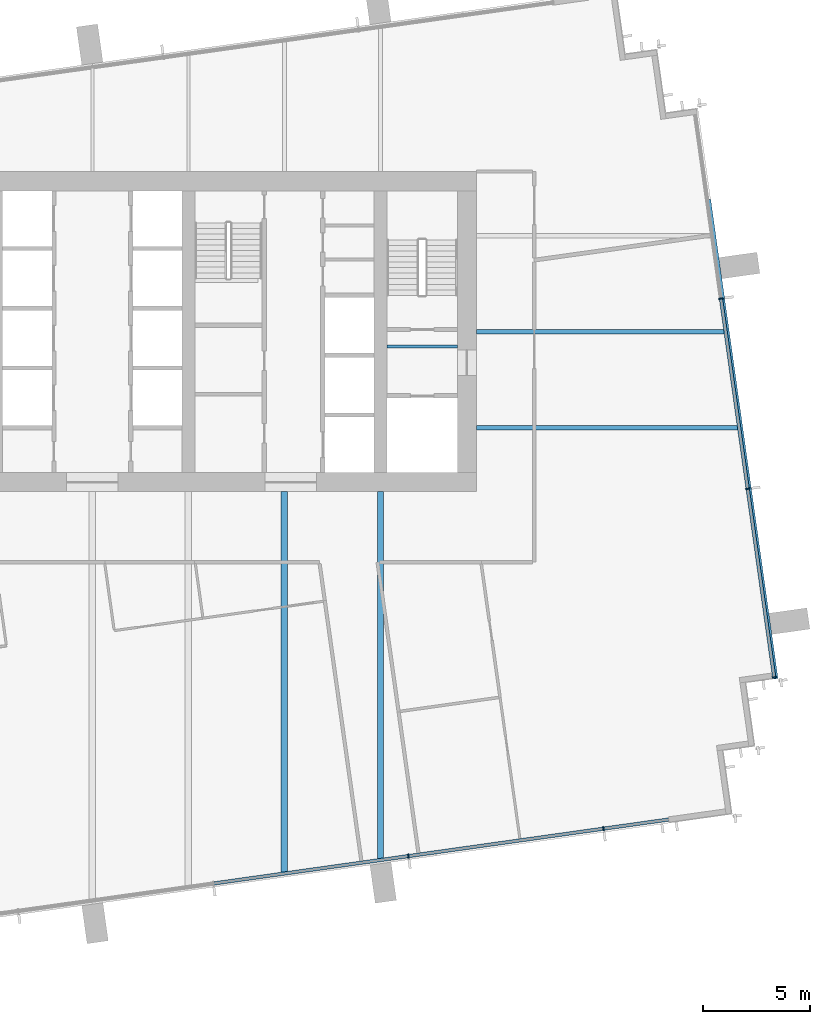
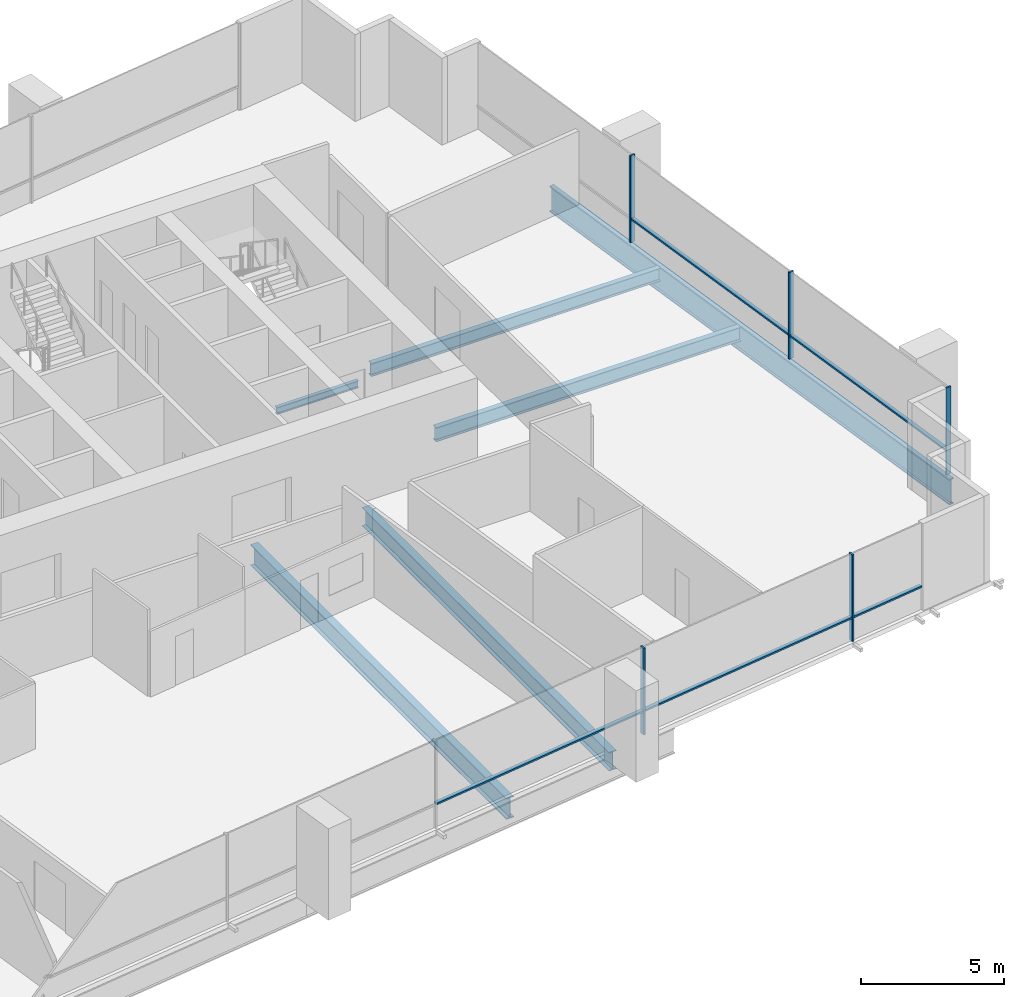
# One storey, part 5 of 13: 10 members, 6 beams, 2 elements without a shape of their own.
"""IFC4 building model written with IfcOpenShell, lengths in metres."""

from ifc_helpers import new_model, si_unit, direction, frame, origin, origin_2d, place, context, subcontext, project, spatial, rectangle, i_section, extrude, material, layer, layer_set, material_profile, profile_set, type_object, element, aggregate, save


model = new_model("IFC4")

# Units and contexts
model_context = context("Model", 3, precision=1e-05, world=origin(), true_north=direction((0.0, 1.0)))
body_context = subcontext(model_context, "Body", "Model", "MODEL_VIEW")
ifc_project = project(units=[si_unit("LENGTHUNIT", "METRE"), si_unit("AREAUNIT", "SQUARE_METRE"), si_unit("VOLUMEUNIT", "CUBIC_METRE"), si_unit("PLANEANGLEUNIT", "RADIAN"), si_unit("MASSUNIT", "GRAM", prefix="KILO")], contexts=[model_context])

# Site, building, storey
site_placement = place(None, origin())
site = spatial("IfcSite", under=ifc_project, at=site_placement, CompositionType="ELEMENT")
building_placement = place(site_placement, origin())
building = spatial("IfcBuilding", under=site, at=building_placement, Name="Rattan Terrace Tower", CompositionType="ELEMENT")
storey_placement = place(building_placement, frame((0.0, 0.0, 217.39990234375)))
storey = spatial("IfcBuildingStorey", under=building, at=storey_placement, Name="L49", CompositionType="ELEMENT", Elevation=217.39990234375)

# Beams
ifc_material_1 = material(Name="Steel S460", Category="steel")
ifc_material_profile_1 = material_profile(ifc_material_1, i_section(OverallWidth=0.179931640625, OverallDepth=1.10009765625, WebThickness=0.01611328125, FlangeThickness=0.050048828125, at=origin_2d()), Name="PG 1100x180-16-50")
ifc_profile_set_1 = profile_set([ifc_material_profile_1], Name="Steel S460")
beam_type_1 = type_object("IfcBeamType", Name="Frame edge girder PG 1100x180-16-50", PredefinedType="SPANDREL", material=ifc_profile_set_1)
beam_1_placement = place(storey_placement, frame((28.883056640625, 6.18505859375, -0.75), z_axis=(0.139138162292, -0.990272978423, 0.0), x_axis=(0.990272978423, 0.139138162292, 0.0)))
element("IfcBeam", 1, at=beam_1_placement, inside=storey, type_object=beam_type_1, Name="gdr-L49-004", PredefinedType="SPANDREL", context=body_context, shape_type="SweptSolid", body=[
    extrude(i_section(OverallWidth=0.179931640625, OverallDepth=1.10009765625, WebThickness=0.01611328125, FlangeThickness=0.050048828125, at=origin_2d()), origin(), (0.0, 0.0, 1.0), 22.66845703125),
])
ifc_material_2 = material(Name="Steel S355", Category="steel")
ifc_material_profile_2 = material_profile(ifc_material_2, i_section(OverallWidth=0.300048828125, OverallDepth=0.800048828125, WebThickness=0.017578125, FlangeThickness=0.032958984375, FilletRadius=0.030029296875, at=origin_2d()), Name="HE 800 B")
ifc_profile_set_2 = profile_set([ifc_material_profile_2], Name="Steel S355")
beam_type_2 = type_object("IfcBeamType", Name="Frame floor beam HE 800 B", PredefinedType="JOIST", material=ifc_profile_set_2)
beam_2_placement = place(storey_placement, frame((13.5, -24.72509765625, -0.599853515625), z_axis=(0.0, 1.0, 0.0), x_axis=(-1.0, 0.0, 0.0)))
element("IfcBeam", 2, at=beam_2_placement, inside=storey, type_object=beam_type_2, Name="bm-L49-008", PredefinedType="JOIST", context=body_context, shape_type="SweptSolid", body=[
    extrude(i_section(OverallWidth=0.300048828125, OverallDepth=0.800048828125, WebThickness=0.017578125, FlangeThickness=0.032958984375, FilletRadius=0.030029296875, at=origin_2d()), origin(), (0.0, 0.0, 1.0), 17.22509765625),
])
ifc_material_3 = material(Name="Steel S355", Category="steel")
ifc_material_profile_3 = material_profile(ifc_material_3, i_section(OverallWidth=0.300048828125, OverallDepth=0.89990234375, WebThickness=0.0185546875, FlangeThickness=0.034912109375, FilletRadius=0.030029296875, at=origin_2d()), Name="HE 900 B")
ifc_profile_set_3 = profile_set([ifc_material_profile_3], Name="Steel S355")
beam_type_3 = type_object("IfcBeamType", Name="Frame floor beam HE 900 B", PredefinedType="JOIST", material=ifc_profile_set_3)
beam_3_placement = place(storey_placement, frame((9.0, -25.35693359375, -0.64990234375), z_axis=(0.0, 1.0, 0.0), x_axis=(-1.0, 0.0, 0.0)))
element("IfcBeam", 3, at=beam_3_placement, inside=storey, type_object=beam_type_3, Name="bm-L49-007", PredefinedType="JOIST", context=body_context, shape_type="SweptSolid", body=[
    extrude(i_section(OverallWidth=0.300048828125, OverallDepth=0.89990234375, WebThickness=0.0185546875, FlangeThickness=0.034912109375, FilletRadius=0.030029296875, at=origin_2d()), origin(), (0.0, 0.0, 1.0), 17.85693359375),
])
ifc_material_4 = material(Name="Steel S355", Category="steel")
ifc_material_profile_4 = material_profile(ifc_material_4, i_section(OverallWidth=0.14990234375, OverallDepth=0.300048828125, WebThickness=0.007080078125, FlangeThickness=0.0107421875, FilletRadius=0.014892578125, at=origin_2d()), Name="IPE 300")
ifc_profile_set_4 = profile_set([ifc_material_profile_4], Name="Steel S355")
beam_type_4 = type_object("IfcBeamType", Name="Frame floor beam IPE 300", PredefinedType="JOIST", material=ifc_profile_set_4)
beam_4_placement = place(storey_placement, frame((13.800048828125, -0.695068359375, -0.349853515625), z_axis=(1.0, 0.0, 0.0), x_axis=(0.0, 1.0, 0.0)))
element("IfcBeam", 4, at=beam_4_placement, inside=storey, type_object=beam_type_4, Name="bm-L49-002", PredefinedType="JOIST", context=body_context, shape_type="SweptSolid", body=[
    extrude(i_section(OverallWidth=0.14990234375, OverallDepth=0.300048828125, WebThickness=0.007080078125, FlangeThickness=0.0107421875, FilletRadius=0.014892578125, at=origin_2d()), origin(), (0.0, 0.0, 1.0), 3.300048828125),
])
ifc_material_5 = material(Name="Steel S355", Category="steel")
ifc_material_profile_5 = material_profile(ifc_material_5, i_section(OverallWidth=0.2099609375, OverallDepth=0.550048828125, WebThickness=0.010986328125, FlangeThickness=0.01708984375, FilletRadius=0.02392578125, at=origin_2d()), Name="IPE 550")
ifc_profile_set_5 = profile_set([ifc_material_profile_5], Name="Steel S355")
beam_type_5 = type_object("IfcBeamType", Name="Frame floor beam IPE 550", PredefinedType="JOIST", material=ifc_profile_set_5)
beam_5_placement = place(storey_placement, frame((18.0, 0.0, -0.474853515625), z_axis=(1.0, 0.0, 0.0), x_axis=(0.0, 1.0, 0.0)))
element("IfcBeam", 5, at=beam_5_placement, inside=storey, type_object=beam_type_5, Name="bm-L49-012", PredefinedType="JOIST", context=body_context, shape_type="SweptSolid", body=[
    extrude(i_section(OverallWidth=0.2099609375, OverallDepth=0.550048828125, WebThickness=0.010986328125, FlangeThickness=0.01708984375, FilletRadius=0.02392578125, at=origin_2d()), origin(), (0.0, 0.0, 1.0), 11.64599609375),
])
ifc_material_6 = material(Name="Steel S355", Category="steel")
ifc_material_profile_6 = material_profile(ifc_material_6, i_section(OverallWidth=0.219970703125, OverallDepth=0.60009765625, WebThickness=0.011962890625, FlangeThickness=0.01904296875, FilletRadius=0.02392578125, at=origin_2d()), Name="IPE 600")
ifc_profile_set_6 = profile_set([ifc_material_profile_6], Name="Steel S355")
beam_type_6 = type_object("IfcBeamType", Name="Frame floor beam IPE 600", PredefinedType="JOIST", material=ifc_profile_set_6)
beam_6_placement = place(storey_placement, frame((18.0, -4.5, -0.5), z_axis=(1.0, 0.0, 0.0), x_axis=(0.0, 1.0, 0.0)))
element("IfcBeam", 6, at=beam_6_placement, inside=storey, type_object=beam_type_6, Name="bm-L49-010", PredefinedType="JOIST", context=body_context, shape_type="SweptSolid", body=[
    extrude(i_section(OverallWidth=0.219970703125, OverallDepth=0.60009765625, WebThickness=0.011962890625, FlangeThickness=0.01904296875, FilletRadius=0.02392578125, at=origin_2d()), origin(), (0.0, 0.0, 1.0), 12.278076171875),
])

# Curtain wall, members
ifc_material_7 = material(Name="Aluminium and laminated glass", Category="aluminium")
ifc_layer = layer(ifc_material_7, 0.199951171875)
ifc_layer_set = layer_set([ifc_layer], Name="High-Zone Unitised Curtain Wall")
curtain_wall_type = type_object("IfcCurtainWallType", Name="High-Zone Unitised Curtain Wall", PredefinedType="NOTDEFINED", material=ifc_layer_set)
curtain_wall_1_placement = place(storey_placement, origin())
curtain_wall_1 = element("IfcCurtainWall", 7, at=curtain_wall_1_placement, inside=storey, type_object=curtain_wall_type, Name="High-zone curtain wall L49-1", PredefinedType="NOTDEFINED")
ifc_material_8 = material(Name="Aluminium", Category="aluminium")
ifc_material_profile_7 = material_profile(ifc_material_8, rectangle(XDim=0.070068359375, YDim=0.199951171875, at=origin_2d()), Name="Aluminium 70x200")
ifc_profile_set_7 = profile_set([ifc_material_profile_7], Name="Aluminium")
member_type_1 = type_object("IfcMemberType", Name="High-Zone CW Mullion 70x200", PredefinedType="MULLION", material=ifc_profile_set_7)
member_1_placement = place(storey_placement, frame((31.946533203125, -16.1943359375, 0.0), z_axis=(0.0, 0.0, 1.0), x_axis=(-0.139186165309, 0.990266232579, 0.0)))
member_1 = element("IfcMember", 8, at=member_1_placement, type_object=member_type_1, Name="Mullion cwl-L49-001.1", PredefinedType="MULLION", context=body_context, shape_type="SweptSolid", body=[
    extrude(rectangle(XDim=0.070068359375, YDim=0.199951171875, at=origin_2d()), origin(), (0.0, 0.0, 1.0), 3.7001953125),
])
member_2_placement = place(storey_placement, frame((30.705078125, -7.361328125, 0.0), z_axis=(0.0, 0.0, 1.0), x_axis=(-0.139186165309, 0.990266232579, 0.0)))
member_2 = element("IfcMember", 9, at=member_2_placement, type_object=member_type_1, Name="Mullion cwl-L49-001.2", PredefinedType="MULLION", context=body_context, shape_type="SweptSolid", body=[
    extrude(rectangle(XDim=0.070068359375, YDim=0.199951171875, at=origin_2d()), origin(), (0.0, 0.0, 1.0), 3.7001953125),
])
member_3_placement = place(storey_placement, frame((29.452392578125, 1.551025390625, 0.0), z_axis=(0.0, 0.0, 1.0), x_axis=(-0.139186165309, 0.990266232579, 0.0)))
member_3 = element("IfcMember", 10, at=member_3_placement, type_object=member_type_1, Name="Mullion cwl-L49-001.3", PredefinedType="MULLION", context=body_context, shape_type="SweptSolid", body=[
    extrude(rectangle(XDim=0.070068359375, YDim=0.199951171875, at=origin_2d()), origin(), (0.0, 0.0, 1.0), 3.7001953125),
])

curtain_wall_2_placement = place(storey_placement, origin())
curtain_wall_2 = element("IfcCurtainWall", 11, at=curtain_wall_2_placement, inside=storey, type_object=curtain_wall_type, Name="High-zone curtain wall L49-4", PredefinedType="NOTDEFINED")
member_4_placement = place(storey_placement, frame((14.808837890625, -24.571533203125, 0.0), z_axis=(0.0, 0.0, 1.0), x_axis=(0.990267457022, 0.139177453499, 0.0)))
member_4 = element("IfcMember", 12, at=member_4_placement, type_object=member_type_1, Name="Mullion cwl-L49-004.4", PredefinedType="MULLION", context=body_context, shape_type="SweptSolid", body=[
    extrude(rectangle(XDim=0.070068359375, YDim=0.199951171875, at=origin_2d()), origin(), (0.0, 0.0, 1.0), 3.7001953125),
])
member_5_placement = place(storey_placement, frame((23.949951171875, -23.28662109375, 0.0), z_axis=(0.0, 0.0, 1.0), x_axis=(0.990267457022, 0.139177453499, 0.0)))
member_5 = element("IfcMember", 13, at=member_5_placement, type_object=member_type_1, Name="Mullion cwl-L49-004.5", PredefinedType="MULLION", context=body_context, shape_type="SweptSolid", body=[
    extrude(rectangle(XDim=0.070068359375, YDim=0.199951171875, at=origin_2d()), origin(), (0.0, 0.0, 1.0), 3.7001953125),
])

# Member
ifc_material_9 = material(Name="Aluminium", Category="aluminium")
ifc_material_profile_8 = material_profile(ifc_material_9, rectangle(XDim=0.159912109375, YDim=0.070068359375, at=origin_2d()), Name="Aluminium 160x70")
ifc_profile_set_8 = profile_set([ifc_material_profile_8], Name="Aluminium")
member_type_2 = type_object("IfcMemberType", Name="High-Zone CW Transom 160x70", PredefinedType="USERDEFINED", material=ifc_profile_set_8)
member_6_placement = place(storey_placement, frame((31.941650390625, -16.159912109375, 1.0), z_axis=(-0.139173253985, 0.990268047235, 0.0), x_axis=(-0.990268047235, -0.139173253985, 0.0)))
member_6 = element("IfcMember", 14, at=member_6_placement, type_object=member_type_2, Name="Transom cwl-L49-001.1", ObjectType="TRANSOM", PredefinedType="USERDEFINED", context=body_context, shape_type="SweptSolid", body=[
    extrude(rectangle(XDim=0.159912109375, YDim=0.070068359375, at=origin_2d()), origin(), (0.0, 0.0, 1.0), 8.85009765625),
])

member_7_placement = place(storey_placement, frame((30.7001953125, -7.32666015625, 1.0), z_axis=(-0.139185713085, 0.990266296141, 0.0), x_axis=(-0.990266296141, -0.139185713085, 0.0)))
member_7 = element("IfcMember", 15, at=member_7_placement, type_object=member_type_2, Name="Transom cwl-L49-001.2", ObjectType="TRANSOM", PredefinedType="USERDEFINED", context=body_context, shape_type="SweptSolid", body=[
    extrude(rectangle(XDim=0.159912109375, YDim=0.070068359375, at=origin_2d()), origin(), (0.0, 0.0, 1.0), 8.929931640625),
])

aggregate(curtain_wall_1, [member_1, member_2, member_3, member_6, member_7])

member_8_placement = place(storey_placement, frame((5.702392578125, -25.851318359375, 1.0), z_axis=(0.990265190222, 0.139193581154, 0.0), x_axis=(-0.139193581154, 0.990265190222, 0.0)))
member_8 = element("IfcMember", 16, at=member_8_placement, type_object=member_type_2, Name="Transom cwl-L49-004.3", ObjectType="TRANSOM", PredefinedType="USERDEFINED", context=body_context, shape_type="SweptSolid", body=[
    extrude(rectangle(XDim=0.159912109375, YDim=0.070068359375, at=origin_2d()), origin(), (0.0, 0.0, 1.0), 9.160888671875),
])

member_9_placement = place(storey_placement, frame((14.843505859375, -24.566650390625, 1.0), z_axis=(0.990265190222, 0.139193581154, 0.0), x_axis=(-0.139193581154, 0.990265190222, 0.0)))
member_9 = element("IfcMember", 17, at=member_9_placement, type_object=member_type_2, Name="Transom cwl-L49-004.4", ObjectType="TRANSOM", PredefinedType="USERDEFINED", context=body_context, shape_type="SweptSolid", body=[
    extrude(rectangle(XDim=0.159912109375, YDim=0.070068359375, at=origin_2d()), origin(), (0.0, 0.0, 1.0), 9.160888671875),
])

member_10_placement = place(storey_placement, frame((23.984619140625, -23.28173828125, 1.0), z_axis=(0.990269723995, 0.139161322712, 0.0), x_axis=(-0.139161322712, 0.990269723995, 0.0)))
member_10 = element("IfcMember", 18, at=member_10_placement, type_object=member_type_2, Name="Transom cwl-L49-004.5", ObjectType="TRANSOM", PredefinedType="USERDEFINED", context=body_context, shape_type="SweptSolid", body=[
    extrude(rectangle(XDim=0.159912109375, YDim=0.070068359375, at=origin_2d()), origin(), (0.0, 0.0, 1.0), 3.040283203125),
])

aggregate(curtain_wall_2, [member_4, member_5, member_8, member_9, member_10])

save(model, "model.ifc")
